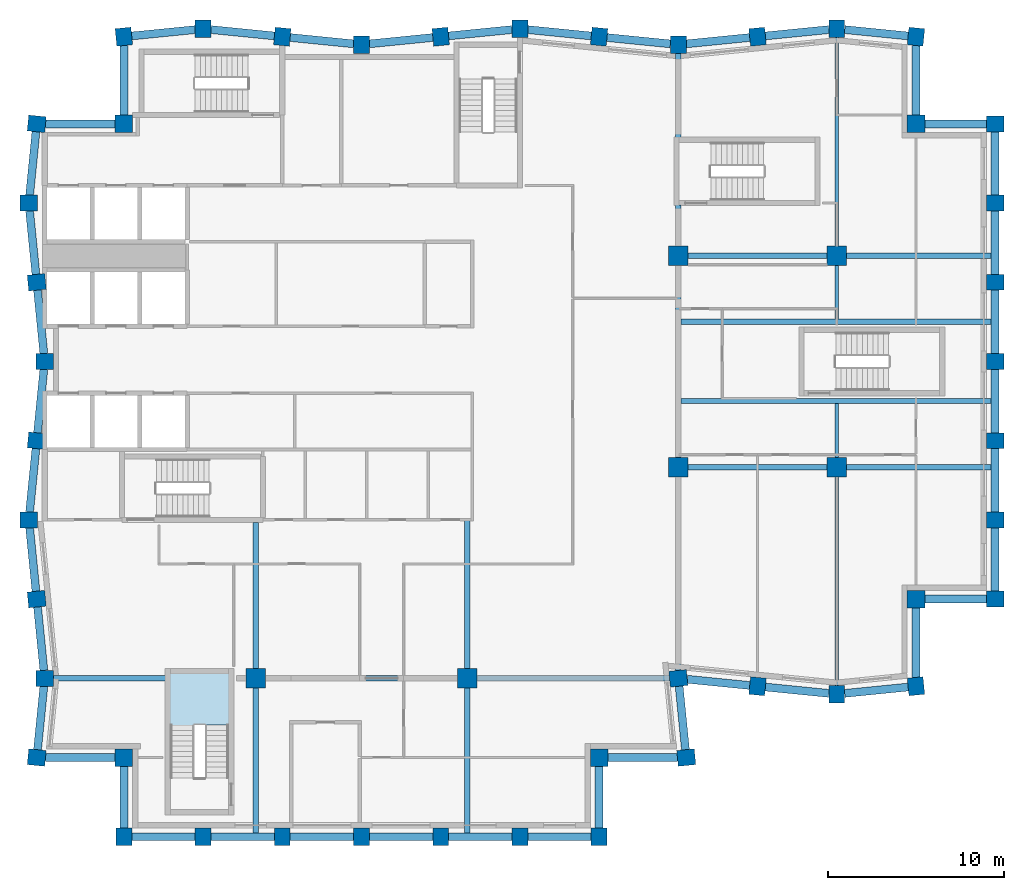
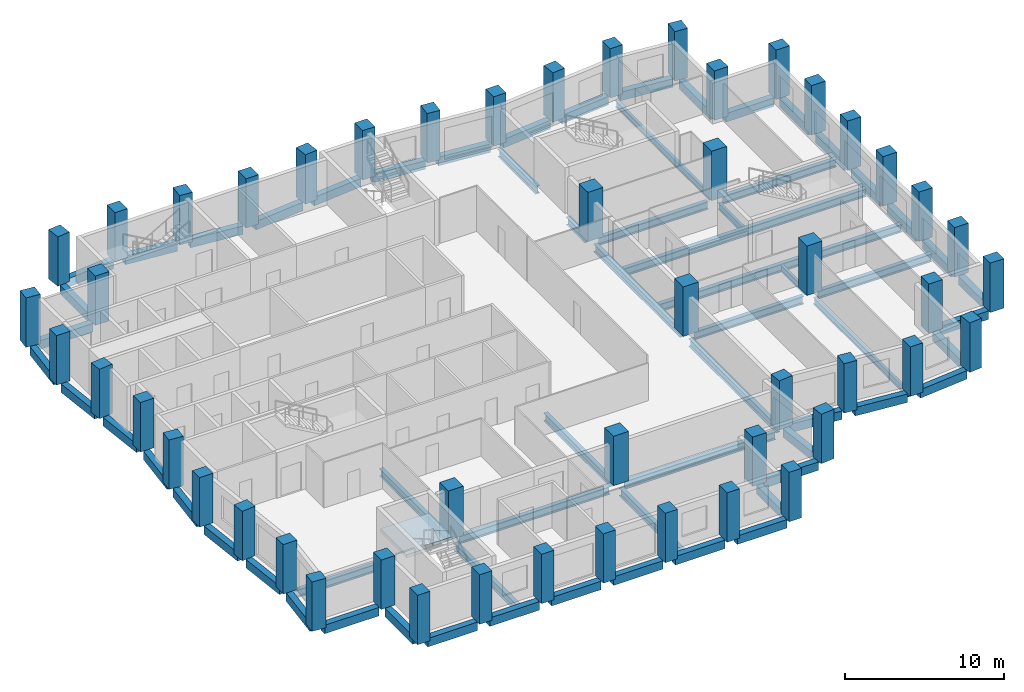
# One storey, part 1 of 8: 65 beams, 50 columns, 1 slab, 1 element without a shape of its own.
"""IFC4 building model written with IfcOpenShell, lengths in metres."""

from ifc_helpers import new_model, si_unit, direction, frame, origin, origin_2d, place, context, subcontext, project, spatial, polyline, rectangle, i_section, outline, extrude, material, layer, layer_set, material_profile, profile_set, type_object, element, aggregate, save


model = new_model("IFC4")

# Units and contexts
model_context = context("Model", 3, precision=1e-05, world=origin(), true_north=direction((0.0, 1.0)))
body_context = subcontext(model_context, "Body", "Model", "MODEL_VIEW")
ifc_project = project(units=[si_unit("LENGTHUNIT", "METRE"), si_unit("AREAUNIT", "SQUARE_METRE"), si_unit("VOLUMEUNIT", "CUBIC_METRE"), si_unit("PLANEANGLEUNIT", "RADIAN"), si_unit("MASSUNIT", "GRAM", prefix="KILO")], contexts=[model_context])

# Site, building, storey
site_placement = place(None, origin())
site = spatial("IfcSite", under=ifc_project, at=site_placement, CompositionType="ELEMENT")
building_placement = place(site_placement, origin())
building = spatial("IfcBuilding", under=site, at=building_placement, Name="Brondeck Convention Tower", CompositionType="ELEMENT")
storey_placement = place(building_placement, frame((0.0, 0.0, 229.199951171875)))
storey = spatial("IfcBuildingStorey", under=building, at=storey_placement, Name="L56", CompositionType="ELEMENT", Elevation=229.199951171875)

# Columns
ifc_material_1 = material(Name="Concrete C50/60", Category="concrete")
ifc_material_profile_1 = material_profile(ifc_material_1, rectangle(XDim=1.0, YDim=1.0, at=origin_2d()), Name="Corner column 1000x1000 Concrete C50/60")
ifc_profile_set_1 = profile_set([ifc_material_profile_1], Name="Concrete C50/60")
column_type_1 = type_object("IfcColumnType", Name="Corner column 1000x1000 Concrete C50/60", PredefinedType="COLUMN", material=ifc_profile_set_1)
for number, where, z_axis, x_axis, name in (
    (1, (4.5, 22.5, 0.0), (0.0, 0.0, 1.0), (1.0, 0.0, 0.0), "STR-COL-L56-NC-SWB18"),
    (2, (31.5, 22.5, 0.0), (0.0, 0.0, 1.0), (1.0, 0.0, 0.0), "STR-COL-L56-NC-SEB18"),
    (3, (49.5, 31.5, 0.0), (0.0, 0.0, 1.0), (1.0, 0.0, 0.0), "STR-COL-L56-NC-SEA54"),
    (4, (49.5, 58.5, 0.0), (0.0, 0.0, 1.0), (1.0, 0.0, 0.0), "STR-COL-L56-NC-NEA54"),
    (5, (4.5, 58.5, 0.0), (0.0, 0.0, 1.0), (1.0, 0.0, 0.0), "STR-COL-L56-NC-NW"),
):
    element("IfcColumn", number, at=place(storey_placement, frame(where, z_axis=z_axis, x_axis=x_axis)), inside=storey, type_object=column_type_1, Name=name, PredefinedType="COLUMN", context=body_context, shape_type="SweptSolid", body=[
        extrude(rectangle(XDim=1.0, YDim=1.0, at=origin_2d()), origin(), (0.0, 0.0, 1.0), 3.800048828125),
    ])
ifc_material_profile_2 = material_profile(ifc_material_1, rectangle(XDim=1.10009765625, YDim=1.10009765625, at=origin_2d()), Name="Interior column 1100x1100 Concrete C50/60")
ifc_profile_set_2 = profile_set([ifc_material_profile_2], Name="Concrete C50/60")
column_type_2 = type_object("IfcColumnType", Name="Interior column 1100x1100 Concrete C50/60", PredefinedType="COLUMN", material=ifc_profile_set_2)
for number, where, z_axis, x_axis, name in (
    (6, (12.0, 27.0, 0.0), (0.0, 0.0, 1.0), (1.0, 0.0, 0.0), "STR-COL-L56-IC-03"),
    (7, (24.0, 27.0, 0.0), (0.0, 0.0, 1.0), (1.0, 0.0, 0.0), "STR-COL-L56-IC-06"),
    (8, (36.0, 39.0, 0.0), (0.0, 0.0, 1.0), (1.0, 0.0, 0.0), "STR-COL-L56-IC-07"),
    (9, (36.0, 51.0, 0.0), (0.0, 0.0, 1.0), (1.0, 0.0, 0.0), "STR-COL-L56-IC-08"),
    (10, (45.0, 39.0, 0.0), (0.0, 0.0, 1.0), (1.0, 0.0, 0.0), "STR-COL-L56-IC-09"),
    (11, (45.0, 51.0, 0.0), (0.0, 0.0, 1.0), (1.0, 0.0, 0.0), "STR-COL-L56-IC-10"),
):
    element("IfcColumn", number, at=place(storey_placement, frame(where, z_axis=z_axis, x_axis=x_axis)), inside=storey, type_object=column_type_2, Name=name, PredefinedType="COLUMN", context=body_context, shape_type="SweptSolid", body=[
        extrude(rectangle(XDim=1.10009765625, YDim=1.10009765625, at=origin_2d()), origin(), (0.0, 0.0, 1.0), 3.800048828125),
    ])
ifc_material_profile_3 = material_profile(ifc_material_1, rectangle(XDim=0.89990234375, YDim=1.0, at=origin_2d()), Name="Perimeter pier 900x1000 Concrete C50/60")
ifc_profile_set_3 = profile_set([ifc_material_profile_3], Name="Concrete C50/60")
column_type_3 = type_object("IfcColumnType", Name="Perimeter pier 900x1000 Concrete C50/60", PredefinedType="COLUMN", material=ifc_profile_set_3)
for number, where, z_axis, x_axis, name in (
    (12, (4.5, 18.0, 0.0), (0.0, 0.0, 1.0), (1.0, 0.0, 0.0), "STR-COL-L56-PC-B-S18-01"),
    (13, (9.0, 18.0, 0.0), (0.0, 0.0, 1.0), (1.0, 0.0, 0.0), "STR-COL-L56-PC-B-S18-02"),
    (14, (13.5, 18.0, 0.0), (0.0, 0.0, 1.0), (1.0, 0.0, 0.0), "STR-COL-L56-PC-B-S18-03"),
    (15, (18.0, 18.0, 0.0), (0.0, 0.0, 1.0), (1.0, 0.0, 0.0), "STR-COL-L56-PC-B-S18-04"),
    (16, (22.5, 18.0, 0.0), (0.0, 0.0, 1.0), (1.0, 0.0, 0.0), "STR-COL-L56-PC-B-S18-05"),
    (17, (27.0, 18.0, 0.0), (0.0, 0.0, 1.0), (1.0, 0.0, 0.0), "STR-COL-L56-PC-B-S18-06"),
    (18, (31.5, 18.0, 0.0), (0.0, 0.0, 1.0), (1.0, 0.0, 0.0), "STR-COL-L56-PC-B-S18-07"),
    (19, (36.449951171875, 22.5, 0.0), (0.0, 0.0, 1.0), (-0.0995038382, 0.995037178292, 0.0), "STR-COL-L56-PC-B-E-01"),
    (20, (36.0, 27.0, 0.0), (0.0, 0.0, 1.0), (-0.0995038382, 0.995037178292, 0.0), "STR-COL-L56-PC-B-E-00"),
    (21, (40.5, 26.550048828125, 0.0), (0.0, 0.0, 1.0), (0.995037178292, -0.0995038382, 0.0), "STR-COL-L56-PC-A-S-01"),
    (22, (45.0, 26.10009765625, 0.0), (0.0, 0.0, 1.0), (1.0, 0.0, 0.0), "STR-COL-L56-PC-A-S-02"),
    (23, (49.5, 26.550048828125, 0.0), (0.0, 0.0, 1.0), (0.995037178292, 0.0995038382, 0.0), "STR-COL-L56-PC-A-S-03"),
    (24, (54.0, 31.5, 0.0), (0.0, 0.0, 1.0), (0.0, 1.0, 0.0), "STR-COL-L56-PC-A-E54-01"),
    (25, (54.0, 36.0, 0.0), (0.0, 0.0, 1.0), (0.0, 1.0, 0.0), "STR-COL-L56-PC-A-E54-02"),
    (26, (54.0, 40.5, 0.0), (0.0, 0.0, 1.0), (0.0, 1.0, 0.0), "STR-COL-L56-PC-A-E54-03"),
    (27, (54.0, 45.0, 0.0), (0.0, 0.0, 1.0), (0.0, 1.0, 0.0), "STR-COL-L56-PC-A-E54-04"),
    (28, (54.0, 49.5, 0.0), (0.0, 0.0, 1.0), (0.0, 1.0, 0.0), "STR-COL-L56-PC-A-E54-05"),
    (29, (54.0, 54.0, 0.0), (0.0, 0.0, 1.0), (0.0, 1.0, 0.0), "STR-COL-L56-PC-A-E54-06"),
    (30, (54.0, 58.5, 0.0), (0.0, 0.0, 1.0), (0.0, 1.0, 0.0), "STR-COL-L56-PC-A-E54-07"),
    (31, (49.5, 63.449951171875, 0.0), (0.0, 0.0, 1.0), (-0.995037178292, 0.0995038382, 0.0), "STR-COL-L56-PC-A-N-11"),
    (32, (45.0, 63.89990234375, 0.0), (0.0, 0.0, 1.0), (-1.0, 0.0, 0.0), "STR-COL-L56-PC-A-N-10"),
    (33, (40.5, 63.449951171875, 0.0), (0.0, 0.0, 1.0), (-0.995037178292, -0.0995038382, 0.0), "STR-COL-L56-PC-A-N-09"),
    (34, (36.0, 63.0, 0.0), (0.0, 0.0, 1.0), (-1.0, 0.0, 0.0), "STR-COL-L56-PC-A-N-08"),
    (35, (31.5, 63.449951171875, 0.0), (0.0, 0.0, 1.0), (-0.995037178292, 0.0995038382, 0.0), "STR-COL-L56-PC-A-N-07"),
    (36, (27.0, 63.89990234375, 0.0), (0.0, 0.0, 1.0), (-1.0, 0.0, 0.0), "STR-COL-L56-PC-A-N-06"),
    (37, (22.5, 63.449951171875, 0.0), (0.0, 0.0, 1.0), (-0.995037178292, -0.0995038382, 0.0), "STR-COL-L56-PC-A-N-05"),
    (38, (18.0, 63.0, 0.0), (0.0, 0.0, 1.0), (-1.0, 0.0, 0.0), "STR-COL-L56-PC-A-N-04"),
    (39, (13.5, 63.449951171875, 0.0), (0.0, 0.0, 1.0), (-0.995037178292, 0.0995038382, 0.0), "STR-COL-L56-PC-A-N-03"),
    (40, (9.0, 63.89990234375, 0.0), (0.0, 0.0, 1.0), (-1.0, 0.0, 0.0), "STR-COL-L56-PC-A-N-02"),
    (41, (4.5, 63.449951171875, 0.0), (0.0, 0.0, 1.0), (-0.995037178292, -0.0995038382, 0.0), "STR-COL-L56-PC-A-N-01"),
    (42, (-0.449951171875, 58.5, 0.0), (0.0, 0.0, 1.0), (-0.0995038382, -0.995037178292, 0.0), "STR-COL-L56-PC-B-W-01"),
    (43, (-0.89990234375, 54.0, 0.0), (0.0, 0.0, 1.0), (0.0, -1.0, 0.0), "STR-COL-L56-PC-B-W-02"),
    (44, (-0.449951171875, 49.5, 0.0), (0.0, 0.0, 1.0), (0.0995038382, -0.995037178292, 0.0), "STR-COL-L56-PC-B-W-03"),
    (45, (0.0, 45.0, 0.0), (0.0, 0.0, 1.0), (0.0, -1.0, 0.0), "STR-COL-L56-PC-B-W-04"),
    (46, (-0.449951171875, 40.5, 0.0), (0.0, 0.0, 1.0), (-0.0995038382, -0.995037178292, 0.0), "STR-COL-L56-PC-B-W-05"),
    (47, (-0.89990234375, 36.0, 0.0), (0.0, 0.0, 1.0), (0.0, -1.0, 0.0), "STR-COL-L56-PC-B-W-06"),
    (48, (-0.449951171875, 31.5, 0.0), (0.0, 0.0, 1.0), (0.0995038382, -0.995037178292, 0.0), "STR-COL-L56-PC-B-W-07"),
    (49, (0.0, 27.0, 0.0), (0.0, 0.0, 1.0), (0.0, -1.0, 0.0), "STR-COL-L56-PC-B-W-08"),
    (50, (-0.449951171875, 22.5, 0.0), (0.0, 0.0, 1.0), (-0.0995038382, -0.995037178292, 0.0), "STR-COL-L56-PC-B-W-09"),
):
    element("IfcColumn", number, at=place(storey_placement, frame(where, z_axis=z_axis, x_axis=x_axis)), inside=storey, type_object=column_type_3, Name=name, PredefinedType="COLUMN", context=body_context, shape_type="SweptSolid", body=[
        extrude(rectangle(XDim=0.89990234375, YDim=1.0, at=origin_2d()), origin(), (0.0, 0.0, 1.0), 3.800048828125),
    ])

# Beams
ifc_material_2 = material(Name="Steel S355", Category="steel")
ifc_material_profile_4 = material_profile(ifc_material_2, i_section(OverallWidth=0.199951171875, OverallDepth=0.5, WebThickness=0.01025390625, FlangeThickness=0.01611328125, FilletRadius=0.02099609375, at=origin_2d()), Name="IPE 500")
ifc_profile_set_4 = profile_set([ifc_material_profile_4], Name="Steel S355")
beam_type_1 = type_object("IfcBeamType", Name="Floor beam IPE 500", PredefinedType="BEAM", material=ifc_profile_set_4)
for number, where, z_axis, x_axis, name in (
    (51, (45.0, 26.60009765625, -0.550048828125), (0.0, 1.0, 0.0), (-1.0, 0.0, 0.0), "STR-FB-L56-001"),
    (52, (45.0, 51.550048828125, -0.550048828125), (0.0, 1.0, 0.0), (-1.0, 0.0, 0.0), "STR-FB-L56-002"),
):
    element("IfcBeam", number, at=place(storey_placement, frame(where, z_axis=z_axis, x_axis=x_axis)), inside=storey, type_object=beam_type_1, Name=name, PredefinedType="BEAM", context=body_context, shape_type="SweptSolid", body=[
        extrude(i_section(OverallWidth=0.199951171875, OverallDepth=0.5, WebThickness=0.01025390625, FlangeThickness=0.01611328125, FilletRadius=0.02099609375, at=origin_2d()), origin(), (0.0, 0.0, 1.0), 11.849853515625),
    ])
for number, where, z_axis, x_axis, name in (
    (53, (45.0, 39.550048828125, -0.550048828125), (0.0, 1.0, 0.0), (-1.0, 0.0, 0.0), "STR-FB-L56-003"),
    (54, (45.0, 47.39990234375, -0.550048828125), (0.0, 1.0, 0.0), (-1.0, 0.0, 0.0), "STR-FB-L56-004"),
):
    element("IfcBeam", number, at=place(storey_placement, frame(where, z_axis=z_axis, x_axis=x_axis)), inside=storey, type_object=beam_type_1, Name=name, PredefinedType="BEAM", context=body_context, shape_type="SweptSolid", body=[
        extrude(i_section(OverallWidth=0.199951171875, OverallDepth=0.5, WebThickness=0.01025390625, FlangeThickness=0.01611328125, FilletRadius=0.02099609375, at=origin_2d()), origin(), (0.0, 0.0, 1.0), 3.050048828125),
    ])
ifc_material_profile_5 = material_profile(ifc_material_2, i_section(OverallWidth=0.300048828125, OverallDepth=0.60009765625, WebThickness=0.015380859375, FlangeThickness=0.030029296875, FilletRadius=0.027099609375, at=origin_2d()), Name="HEB 600")
ifc_profile_set_5 = profile_set([ifc_material_profile_5], Name="Steel S355")
beam_type_2 = type_object("IfcBeamType", Name="Girder HEB 600", PredefinedType="BEAM", material=ifc_profile_set_5)
beam_1_placement = place(storey_placement, frame((36.550048828125, 39.0, -0.599853515625), z_axis=(1.0, 0.0, 0.0), x_axis=(0.0, 1.0, 0.0)))
element("IfcBeam", 55, at=beam_1_placement, inside=storey, type_object=beam_type_2, Name="STR-GR-L56-001", PredefinedType="BEAM", context=body_context, shape_type="SweptSolid", body=[
    extrude(i_section(OverallWidth=0.300048828125, OverallDepth=0.60009765625, WebThickness=0.015380859375, FlangeThickness=0.030029296875, FilletRadius=0.027099609375, at=origin_2d()), origin(), (0.0, 0.0, 1.0), 7.89990234375),
])
beam_2_placement = place(storey_placement, frame((45.550048828125, 39.0, -0.599853515625), z_axis=(1.0, 0.0, 0.0), x_axis=(0.0, 1.0, 0.0)))
element("IfcBeam", 56, at=beam_2_placement, inside=storey, type_object=beam_type_2, Name="STR-GR-L56-002", PredefinedType="BEAM", context=body_context, shape_type="SweptSolid", body=[
    extrude(i_section(OverallWidth=0.300048828125, OverallDepth=0.60009765625, WebThickness=0.015380859375, FlangeThickness=0.030029296875, FilletRadius=0.027099609375, at=origin_2d()), origin(), (0.0, 0.0, 1.0), 8.224853515625),
])
beam_3_placement = place(storey_placement, frame((36.550048828125, 51.0, -0.599853515625), z_axis=(1.0, 0.0, 0.0), x_axis=(0.0, 1.0, 0.0)))
element("IfcBeam", 57, at=beam_3_placement, inside=storey, type_object=beam_type_2, Name="STR-GR-L56-003", PredefinedType="BEAM", context=body_context, shape_type="SweptSolid", body=[
    extrude(i_section(OverallWidth=0.300048828125, OverallDepth=0.60009765625, WebThickness=0.015380859375, FlangeThickness=0.030029296875, FilletRadius=0.027099609375, at=origin_2d()), origin(), (0.0, 0.0, 1.0), 7.89990234375),
])
beam_4_placement = place(storey_placement, frame((45.550048828125, 51.0, -0.599853515625), z_axis=(1.0, 0.0, 0.0), x_axis=(0.0, 1.0, 0.0)))
element("IfcBeam", 58, at=beam_4_placement, inside=storey, type_object=beam_type_2, Name="STR-GR-L56-004", PredefinedType="BEAM", context=body_context, shape_type="SweptSolid", body=[
    extrude(i_section(OverallWidth=0.300048828125, OverallDepth=0.60009765625, WebThickness=0.015380859375, FlangeThickness=0.030029296875, FilletRadius=0.027099609375, at=origin_2d()), origin(), (0.0, 0.0, 1.0), 8.224853515625),
])
beam_5_placement = place(storey_placement, frame((36.0, 27.4521484375, -0.599853515625), z_axis=(0.0, 1.0, 0.0), x_axis=(-1.0, 0.0, 0.0)))
element("IfcBeam", 59, at=beam_5_placement, inside=storey, type_object=beam_type_2, Name="STR-GR-L56-005", PredefinedType="BEAM", context=body_context, shape_type="SweptSolid", body=[
    extrude(i_section(OverallWidth=0.300048828125, OverallDepth=0.60009765625, WebThickness=0.015380859375, FlangeThickness=0.030029296875, FilletRadius=0.027099609375, at=origin_2d()), origin(), (0.0, 0.0, 1.0), 10.997802734375),
])
beam_6_placement = place(storey_placement, frame((36.0, 39.550048828125, -0.599853515625), z_axis=(0.0, 1.0, 0.0), x_axis=(-1.0, 0.0, 0.0)))
element("IfcBeam", 60, at=beam_6_placement, inside=storey, type_object=beam_type_2, Name="STR-GR-L56-006", PredefinedType="BEAM", context=body_context, shape_type="SweptSolid", body=[
    extrude(i_section(OverallWidth=0.300048828125, OverallDepth=0.60009765625, WebThickness=0.015380859375, FlangeThickness=0.030029296875, FilletRadius=0.027099609375, at=origin_2d()), origin(), (0.0, 0.0, 1.0), 10.89990234375),
])
beam_7_placement = place(storey_placement, frame((36.0, 51.550048828125, -0.599853515625), z_axis=(0.0, 1.0, 0.0), x_axis=(-1.0, 0.0, 0.0)))
element("IfcBeam", 61, at=beam_7_placement, inside=storey, type_object=beam_type_2, Name="STR-GR-L56-007", PredefinedType="BEAM", context=body_context, shape_type="SweptSolid", body=[
    extrude(i_section(OverallWidth=0.300048828125, OverallDepth=0.60009765625, WebThickness=0.015380859375, FlangeThickness=0.030029296875, FilletRadius=0.027099609375, at=origin_2d()), origin(), (0.0, 0.0, 1.0), 2.329833984375),
])
beam_8_placement = place(storey_placement, frame((36.0, 57.719970703125, -0.599853515625), z_axis=(0.0, 1.0, 0.0), x_axis=(-1.0, 0.0, 0.0)))
element("IfcBeam", 62, at=beam_8_placement, inside=storey, type_object=beam_type_2, Name="STR-GR-L56-008", PredefinedType="BEAM", context=body_context, shape_type="SweptSolid", body=[
    extrude(i_section(OverallWidth=0.300048828125, OverallDepth=0.60009765625, WebThickness=0.015380859375, FlangeThickness=0.030029296875, FilletRadius=0.027099609375, at=origin_2d()), origin(), (0.0, 0.0, 1.0), 4.780029296875),
])
beam_9_placement = place(storey_placement, frame((12.0, 35.85009765625, -0.599853515625), z_axis=(0.0, -1.0, 0.0), x_axis=(1.0, 0.0, 0.0)))
element("IfcBeam", 63, at=beam_9_placement, inside=storey, type_object=beam_type_2, Name="STR-GR-L56-009", PredefinedType="BEAM", context=body_context, shape_type="SweptSolid", body=[
    extrude(i_section(OverallWidth=0.300048828125, OverallDepth=0.60009765625, WebThickness=0.015380859375, FlangeThickness=0.030029296875, FilletRadius=0.027099609375, at=origin_2d()), origin(), (0.0, 0.0, 1.0), 8.300048828125),
])
beam_10_placement = place(storey_placement, frame((12.0, 26.449951171875, -0.599853515625), z_axis=(0.0, -1.0, 0.0), x_axis=(1.0, 0.0, 0.0)))
element("IfcBeam", 64, at=beam_10_placement, inside=storey, type_object=beam_type_2, Name="STR-GR-L56-010", PredefinedType="BEAM", context=body_context, shape_type="SweptSolid", body=[
    extrude(i_section(OverallWidth=0.300048828125, OverallDepth=0.60009765625, WebThickness=0.015380859375, FlangeThickness=0.030029296875, FilletRadius=0.027099609375, at=origin_2d()), origin(), (0.0, 0.0, 1.0), 8.224853515625),
])
beam_11_placement = place(storey_placement, frame((24.0, 35.955078125, -0.599853515625), z_axis=(0.0, -1.0, 0.0), x_axis=(1.0, 0.0, 0.0)))
element("IfcBeam", 65, at=beam_11_placement, inside=storey, type_object=beam_type_2, Name="STR-GR-L56-011", PredefinedType="BEAM", context=body_context, shape_type="SweptSolid", body=[
    extrude(i_section(OverallWidth=0.300048828125, OverallDepth=0.60009765625, WebThickness=0.015380859375, FlangeThickness=0.030029296875, FilletRadius=0.027099609375, at=origin_2d()), origin(), (0.0, 0.0, 1.0), 8.405029296875),
])
beam_12_placement = place(storey_placement, frame((24.0, 26.449951171875, -0.599853515625), z_axis=(0.0, -1.0, 0.0), x_axis=(1.0, 0.0, 0.0)))
element("IfcBeam", 66, at=beam_12_placement, inside=storey, type_object=beam_type_2, Name="STR-GR-L56-012", PredefinedType="BEAM", context=body_context, shape_type="SweptSolid", body=[
    extrude(i_section(OverallWidth=0.300048828125, OverallDepth=0.60009765625, WebThickness=0.015380859375, FlangeThickness=0.030029296875, FilletRadius=0.027099609375, at=origin_2d()), origin(), (0.0, 0.0, 1.0), 8.224853515625),
])
beam_13_placement = place(storey_placement, frame((0.5, 27.0, -0.599853515625), z_axis=(1.0, 0.0, 0.0), x_axis=(0.0, 1.0, 0.0)))
element("IfcBeam", 67, at=beam_13_placement, inside=storey, type_object=beam_type_2, Name="STR-GR-L56-013", PredefinedType="BEAM", context=body_context, shape_type="SweptSolid", body=[
    extrude(i_section(OverallWidth=0.300048828125, OverallDepth=0.60009765625, WebThickness=0.015380859375, FlangeThickness=0.030029296875, FilletRadius=0.027099609375, at=origin_2d()), origin(), (0.0, 0.0, 1.0), 6.3798828125),
])
beam_14_placement = place(storey_placement, frame((12.550048828125, 27.0, -0.599853515625), z_axis=(1.0, 0.0, 0.0), x_axis=(0.0, 1.0, 0.0)))
element("IfcBeam", 68, at=beam_14_placement, inside=storey, type_object=beam_type_2, Name="STR-GR-L56-014", PredefinedType="BEAM", context=body_context, shape_type="SweptSolid", body=[
    extrude(i_section(OverallWidth=0.300048828125, OverallDepth=0.60009765625, WebThickness=0.015380859375, FlangeThickness=0.030029296875, FilletRadius=0.027099609375, at=origin_2d()), origin(), (0.0, 0.0, 1.0), 10.89990234375),
])
beam_15_placement = place(storey_placement, frame((24.550048828125, 27.0, -0.599853515625), z_axis=(1.0, 0.0, 0.0), x_axis=(0.0, 1.0, 0.0)))
element("IfcBeam", 69, at=beam_15_placement, inside=storey, type_object=beam_type_2, Name="STR-GR-L56-015", PredefinedType="BEAM", context=body_context, shape_type="SweptSolid", body=[
    extrude(i_section(OverallWidth=0.300048828125, OverallDepth=0.60009765625, WebThickness=0.015380859375, FlangeThickness=0.030029296875, FilletRadius=0.027099609375, at=origin_2d()), origin(), (0.0, 0.0, 1.0), 10.947509765625),
])
for number, where, z_axis, x_axis, name in (
    (70, (36.14990234375, 42.75, -0.599853515625), (1.0, 0.0, 0.0), (0.0, 1.0, 0.0), "STR-GR-L56-016"),
    (71, (36.14990234375, 47.25, -0.599853515625), (1.0, 0.0, 0.0), (0.0, 1.0, 0.0), "STR-GR-L56-017"),
):
    element("IfcBeam", number, at=place(storey_placement, frame(where, z_axis=z_axis, x_axis=x_axis)), inside=storey, type_object=beam_type_2, Name=name, PredefinedType="BEAM", context=body_context, shape_type="SweptSolid", body=[
        extrude(i_section(OverallWidth=0.300048828125, OverallDepth=0.60009765625, WebThickness=0.015380859375, FlangeThickness=0.030029296875, FilletRadius=0.027099609375, at=origin_2d()), origin(), (0.0, 0.0, 1.0), 17.625),
    ])
ifc_material_profile_6 = material_profile(ifc_material_1, rectangle(XDim=0.449951171875, YDim=0.64990234375, at=origin_2d()), Name="Precast spandrel 450x650 Concrete C50/60")
ifc_profile_set_6 = profile_set([ifc_material_profile_6], Name="Concrete C50/60")
beam_type_3 = type_object("IfcBeamType", Name="Precast spandrel 450x650 Concrete C50/60", PredefinedType="SPANDREL", material=ifc_profile_set_6)
for number, where, z_axis, x_axis, name in (
    (72, (4.949951171875, 18.0, -0.324951171875), (1.0, 0.0, 0.0), (0.0, 1.0, 0.0), "STR-SP-L56-001"),
    (73, (9.449951171875, 18.0, -0.324951171875), (1.0, 0.0, 0.0), (0.0, 1.0, 0.0), "STR-SP-L56-002"),
    (74, (13.949951171875, 18.0, -0.324951171875), (1.0, 0.0, 0.0), (0.0, 1.0, 0.0), "STR-SP-L56-003"),
    (75, (18.449951171875, 18.0, -0.324951171875), (1.0, 0.0, 0.0), (0.0, 1.0, 0.0), "STR-SP-L56-004"),
    (76, (22.949951171875, 18.0, -0.324951171875), (1.0, 0.0, 0.0), (0.0, 1.0, 0.0), "STR-SP-L56-005"),
    (77, (27.449951171875, 18.0, -0.324951171875), (1.0, 0.0, 0.0), (0.0, 1.0, 0.0), "STR-SP-L56-006"),
):
    element("IfcBeam", number, at=place(storey_placement, frame(where, z_axis=z_axis, x_axis=x_axis)), inside=storey, type_object=beam_type_3, Name=name, PredefinedType="SPANDREL", context=body_context, shape_type="SweptSolid", body=[
        extrude(rectangle(XDim=0.449951171875, YDim=0.64990234375, at=origin_2d()), origin(), (0.0, 0.0, 1.0), 3.60009765625),
    ])
beam_16_placement = place(storey_placement, frame((31.5, 18.5, -0.324951171875), z_axis=(0.0, 1.0, 0.0), x_axis=(-1.0, 0.0, 0.0)))
element("IfcBeam", 78, at=beam_16_placement, inside=storey, type_object=beam_type_3, Name="STR-SP-L56-007", PredefinedType="SPANDREL", context=body_context, shape_type="SweptSolid", body=[
    extrude(rectangle(XDim=0.449951171875, YDim=0.64990234375, at=origin_2d()), origin(), (0.0, 0.0, 1.0), 3.5),
])
beam_17_placement = place(storey_placement, frame((32.0, 22.5, -0.324951171875), z_axis=(1.0, 0.0, 0.0), x_axis=(0.0, 1.0, 0.0)))
element("IfcBeam", 79, at=beam_17_placement, inside=storey, type_object=beam_type_3, Name="STR-SP-L56-008", PredefinedType="SPANDREL", context=body_context, shape_type="SweptSolid", body=[
    extrude(rectangle(XDim=0.449951171875, YDim=0.64990234375, at=origin_2d()), origin(), (0.0, 0.0, 1.0), 3.947509765625),
])
beam_18_placement = place(storey_placement, frame((36.4052734375, 22.94775390625, -0.324951171875), z_axis=(-0.099543756114, 0.995033185687, 0.0), x_axis=(-0.995033185687, -0.099543756114, 0.0)))
element("IfcBeam", 80, at=beam_18_placement, inside=storey, type_object=beam_type_3, Name="STR-SP-L56-009", PredefinedType="SPANDREL", context=body_context, shape_type="SweptSolid", body=[
    extrude(rectangle(XDim=0.449951171875, YDim=0.64990234375, at=origin_2d()), origin(), (0.0, 0.0, 1.0), 3.62255859375),
])
beam_19_placement = place(storey_placement, frame((36.507568359375, 26.94921875, -0.324951171875), z_axis=(0.995036511638, -0.099510504504, 0.0), x_axis=(0.099510504504, 0.995036511638, 0.0)))
element("IfcBeam", 81, at=beam_19_placement, inside=storey, type_object=beam_type_3, Name="STR-SP-L56-010", PredefinedType="SPANDREL", context=body_context, shape_type="SweptSolid", body=[
    extrude(rectangle(XDim=0.449951171875, YDim=0.64990234375, at=origin_2d()), origin(), (0.0, 0.0, 1.0), 3.562255859375),
])
for number, where, z_axis, x_axis, name in (
    (82, (40.94775390625, 26.505126953125, -0.324951171875), (0.995040528141, -0.099470334057, 0.0), (0.099470334057, 0.995040528141, 0.0), "STR-SP-L56-011"),
    (83, (45.449951171875, 26.14501953125, -0.324951171875), (0.995040528141, 0.099470334057, 0.0), (-0.099470334057, 0.995040528141, 0.0), "STR-SP-L56-012"),
):
    element("IfcBeam", number, at=place(storey_placement, frame(where, z_axis=z_axis, x_axis=x_axis)), inside=storey, type_object=beam_type_3, Name=name, PredefinedType="SPANDREL", context=body_context, shape_type="SweptSolid", body=[
        extrude(rectangle(XDim=0.449951171875, YDim=0.64990234375, at=origin_2d()), origin(), (0.0, 0.0, 1.0), 3.620361328125),
    ])
beam_20_placement = place(storey_placement, frame((49.5, 27.052490234375, -0.324951171875), z_axis=(0.0, 1.0, 0.0), x_axis=(-1.0, 0.0, 0.0)))
element("IfcBeam", 84, at=beam_20_placement, inside=storey, type_object=beam_type_3, Name="STR-SP-L56-013", PredefinedType="SPANDREL", context=body_context, shape_type="SweptSolid", body=[
    extrude(rectangle(XDim=0.449951171875, YDim=0.64990234375, at=origin_2d()), origin(), (0.0, 0.0, 1.0), 3.947509765625),
])
beam_21_placement = place(storey_placement, frame((50.0, 31.5, -0.324951171875), z_axis=(1.0, 0.0, 0.0), x_axis=(0.0, 1.0, 0.0)))
element("IfcBeam", 85, at=beam_21_placement, inside=storey, type_object=beam_type_3, Name="STR-SP-L56-014", PredefinedType="SPANDREL", context=body_context, shape_type="SweptSolid", body=[
    extrude(rectangle(XDim=0.449951171875, YDim=0.64990234375, at=origin_2d()), origin(), (0.0, 0.0, 1.0), 3.5),
])
for number, where, z_axis, x_axis, name in (
    (86, (54.0, 31.949951171875, -0.324951171875), (0.0, 1.0, 0.0), (-1.0, 0.0, 0.0), "STR-SP-L56-015"),
    (87, (54.0, 36.449951171875, -0.324951171875), (0.0, 1.0, 0.0), (-1.0, 0.0, 0.0), "STR-SP-L56-016"),
    (88, (54.0, 40.949951171875, -0.324951171875), (0.0, 1.0, 0.0), (-1.0, 0.0, 0.0), "STR-SP-L56-017"),
    (89, (54.0, 45.449951171875, -0.324951171875), (0.0, 1.0, 0.0), (-1.0, 0.0, 0.0), "STR-SP-L56-018"),
    (90, (54.0, 49.949951171875, -0.324951171875), (0.0, 1.0, 0.0), (-1.0, 0.0, 0.0), "STR-SP-L56-019"),
    (91, (54.0, 54.449951171875, -0.324951171875), (0.0, 1.0, 0.0), (-1.0, 0.0, 0.0), "STR-SP-L56-020"),
):
    element("IfcBeam", number, at=place(storey_placement, frame(where, z_axis=z_axis, x_axis=x_axis)), inside=storey, type_object=beam_type_3, Name=name, PredefinedType="SPANDREL", context=body_context, shape_type="SweptSolid", body=[
        extrude(rectangle(XDim=0.449951171875, YDim=0.64990234375, at=origin_2d()), origin(), (0.0, 0.0, 1.0), 3.60009765625),
    ])
beam_22_placement = place(storey_placement, frame((53.5, 58.5, -0.324951171875), z_axis=(-1.0, 0.0, 0.0), x_axis=(0.0, -1.0, 0.0)))
element("IfcBeam", 92, at=beam_22_placement, inside=storey, type_object=beam_type_3, Name="STR-SP-L56-021", PredefinedType="SPANDREL", context=body_context, shape_type="SweptSolid", body=[
    extrude(rectangle(XDim=0.449951171875, YDim=0.64990234375, at=origin_2d()), origin(), (0.0, 0.0, 1.0), 3.5),
])
beam_23_placement = place(storey_placement, frame((49.5, 59.0, -0.324951171875), z_axis=(0.0, 1.0, 0.0), x_axis=(-1.0, 0.0, 0.0)))
element("IfcBeam", 93, at=beam_23_placement, inside=storey, type_object=beam_type_3, Name="STR-SP-L56-022", PredefinedType="SPANDREL", context=body_context, shape_type="SweptSolid", body=[
    extrude(rectangle(XDim=0.449951171875, YDim=0.64990234375, at=origin_2d()), origin(), (0.0, 0.0, 1.0), 3.947509765625),
])
for number, where, z_axis, x_axis, name in (
    (94, (49.05224609375, 63.494873046875, -0.324951171875), (-0.995040528141, 0.099470334057, 0.0), (-0.099470334057, -0.995040528141, 0.0), "STR-SP-L56-023"),
    (95, (44.550048828125, 63.85498046875, -0.324951171875), (-0.995040528141, -0.099470334057, 0.0), (0.099470334057, -0.995040528141, 0.0), "STR-SP-L56-024"),
    (96, (40.05224609375, 63.4052734375, -0.324951171875), (-0.995033851182, -0.099537103649, 0.0), (0.099537103649, -0.995033851182, 0.0), "STR-SP-L56-025"),
    (97, (35.550048828125, 63.044921875, -0.324951171875), (-0.995033851182, 0.099537103649, 0.0), (-0.099537103649, -0.995033851182, 0.0), "STR-SP-L56-026"),
    (98, (31.05224609375, 63.494873046875, -0.324951171875), (-0.995040528141, 0.099470334057, 0.0), (-0.099470334057, -0.995040528141, 0.0), "STR-SP-L56-027"),
    (99, (26.550048828125, 63.85498046875, -0.324951171875), (-0.995040528141, -0.099470334057, 0.0), (0.099470334057, -0.995040528141, 0.0), "STR-SP-L56-028"),
    (100, (22.05224609375, 63.4052734375, -0.324951171875), (-0.995033851182, -0.099537103649, 0.0), (0.099537103649, -0.995033851182, 0.0), "STR-SP-L56-029"),
    (101, (17.550048828125, 63.044921875, -0.324951171875), (-0.995033851182, 0.099537103649, 0.0), (-0.099537103649, -0.995033851182, 0.0), "STR-SP-L56-030"),
    (102, (13.05224609375, 63.494873046875, -0.324951171875), (-0.995040528141, 0.099470334057, 0.0), (-0.099470334057, -0.995040528141, 0.0), "STR-SP-L56-031"),
    (103, (8.550048828125, 63.85498046875, -0.324951171875), (-0.995040528141, -0.099470334057, 0.0), (0.099470334057, -0.995040528141, 0.0), "STR-SP-L56-032"),
):
    element("IfcBeam", number, at=place(storey_placement, frame(where, z_axis=z_axis, x_axis=x_axis)), inside=storey, type_object=beam_type_3, Name=name, PredefinedType="SPANDREL", context=body_context, shape_type="SweptSolid", body=[
        extrude(rectangle(XDim=0.449951171875, YDim=0.64990234375, at=origin_2d()), origin(), (0.0, 0.0, 1.0), 3.620361328125),
    ])
for number, where, z_axis, x_axis, name in (
    (104, (4.5, 62.947509765625, -0.324951171875), (0.0, -1.0, 0.0), (1.0, 0.0, 0.0), "STR-SP-L56-033"),
    (105, (4.0, 58.5, -0.324951171875), (-1.0, 0.0, 0.0), (0.0, -1.0, 0.0), "STR-SP-L56-034"),
):
    element("IfcBeam", number, at=place(storey_placement, frame(where, z_axis=z_axis, x_axis=x_axis)), inside=storey, type_object=beam_type_3, Name=name, PredefinedType="SPANDREL", context=body_context, shape_type="SweptSolid", body=[
        extrude(rectangle(XDim=0.449951171875, YDim=0.64990234375, at=origin_2d()), origin(), (0.0, 0.0, 1.0), 3.947509765625),
    ])
for number, where, z_axis, x_axis, name in (
    (106, (-0.494873046875, 58.05224609375, -0.324951171875), (-0.099470334057, -0.995040528141, 0.0), (0.995040528141, -0.099470334057, 0.0), "STR-SP-L56-035"),
    (107, (-0.85498046875, 53.550048828125, -0.324951171875), (0.099470334057, -0.995040528141, 0.0), (0.995040528141, 0.099470334057, 0.0), "STR-SP-L56-036"),
    (108, (-0.4052734375, 49.05224609375, -0.324951171875), (0.099537103649, -0.995033851182, 0.0), (0.995033851182, 0.099537103649, 0.0), "STR-SP-L56-037"),
    (109, (-0.044921875, 44.550048828125, -0.324951171875), (-0.099537103649, -0.995033851182, 0.0), (0.995033851182, -0.099537103649, 0.0), "STR-SP-L56-038"),
    (110, (-0.494873046875, 40.05224609375, -0.324951171875), (-0.099470334057, -0.995040528141, 0.0), (0.995040528141, -0.099470334057, 0.0), "STR-SP-L56-039"),
    (111, (-0.85498046875, 35.550048828125, -0.324951171875), (0.099470334057, -0.995040528141, 0.0), (0.995040528141, 0.099470334057, 0.0), "STR-SP-L56-040"),
    (112, (-0.4052734375, 31.05224609375, -0.324951171875), (0.099537103649, -0.995033851182, 0.0), (0.995033851182, 0.099537103649, 0.0), "STR-SP-L56-041"),
    (113, (-0.044921875, 26.550048828125, -0.324951171875), (-0.099537103649, -0.995033851182, 0.0), (0.995033851182, -0.099537103649, 0.0), "STR-SP-L56-042"),
):
    element("IfcBeam", number, at=place(storey_placement, frame(where, z_axis=z_axis, x_axis=x_axis)), inside=storey, type_object=beam_type_3, Name=name, PredefinedType="SPANDREL", context=body_context, shape_type="SweptSolid", body=[
        extrude(rectangle(XDim=0.449951171875, YDim=0.64990234375, at=origin_2d()), origin(), (0.0, 0.0, 1.0), 3.620361328125),
    ])
beam_24_placement = place(storey_placement, frame((0.052490234375, 22.5, -0.324951171875), z_axis=(1.0, 0.0, 0.0), x_axis=(0.0, 1.0, 0.0)))
element("IfcBeam", 114, at=beam_24_placement, inside=storey, type_object=beam_type_3, Name="STR-SP-L56-043", PredefinedType="SPANDREL", context=body_context, shape_type="SweptSolid", body=[
    extrude(rectangle(XDim=0.449951171875, YDim=0.64990234375, at=origin_2d()), origin(), (0.0, 0.0, 1.0), 3.947509765625),
])
beam_25_placement = place(storey_placement, frame((4.5, 22.0, -0.324951171875), z_axis=(0.0, -1.0, 0.0), x_axis=(1.0, 0.0, 0.0)))
element("IfcBeam", 115, at=beam_25_placement, inside=storey, type_object=beam_type_3, Name="STR-SP-L56-044", PredefinedType="SPANDREL", context=body_context, shape_type="SweptSolid", body=[
    extrude(rectangle(XDim=0.449951171875, YDim=0.64990234375, at=origin_2d()), origin(), (0.0, 0.0, 1.0), 3.5),
])

# Stair, slab
ifc_material_3 = material(Name="Precast concrete C50/60", Category="concrete")
stair_type = type_object("IfcStairType", Name="Core stair 22 risers 172.73 mm riser 300 mm going 1350 wide", PredefinedType="HALF_TURN_STAIR", material=ifc_material_3)
stair_placement = place(storey_placement, origin())
stair = element("IfcStair", 116, at=stair_placement, inside=storey, type_object=stair_type, Name="ST-BE L56 stair", PredefinedType="HALF_TURN_STAIR")
ifc_layer = layer(ifc_material_3, 0.25)
ifc_layer_set = layer_set([ifc_layer], Name="Core stair landing 250 Precast concrete C50/60")
slab_type = type_object("IfcSlabType", Name="Core stair landing 250 Precast concrete C50/60", PredefinedType="LANDING", material=ifc_layer_set)
slab_placement = place(storey_placement, frame((0.0, 0.0, 1.650146484375)))
slab = element("IfcSlab", 117, at=slab_placement, type_object=slab_type, Name="ST-BE landing 1", PredefinedType="LANDING", context=body_context, shape_type="SweptSolid", body=[
    extrude(outline(polyline([(7.030029296875, 24.050048828125), (7.030029296875, 27.3701171875), (10.570068359375, 27.3701171875), (10.570068359375, 24.347900390625), (9.10009765625, 24.347900390625), (9.10009765625, 24.35009765625), (8.5, 24.35009765625), (8.5, 24.050048828125), (7.030029296875, 24.050048828125)])), origin(), (0.0, 0.0, 1.0), 0.25),
])
aggregate(stair, [slab])

save(model, "model.ifc")
